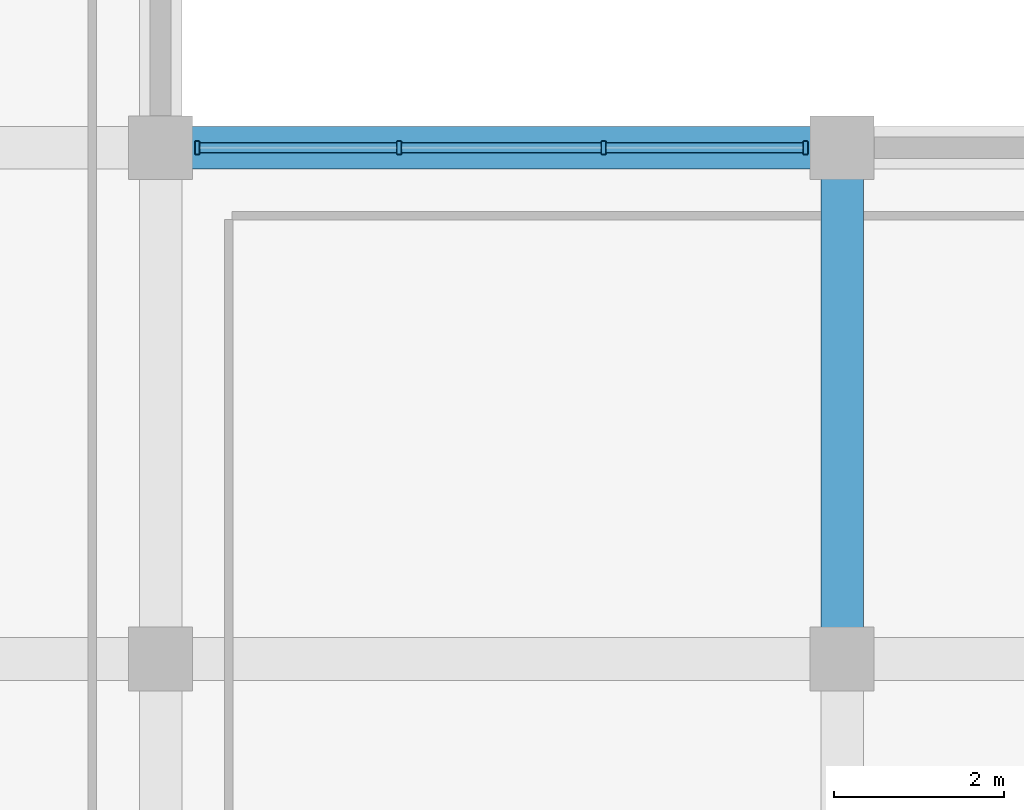
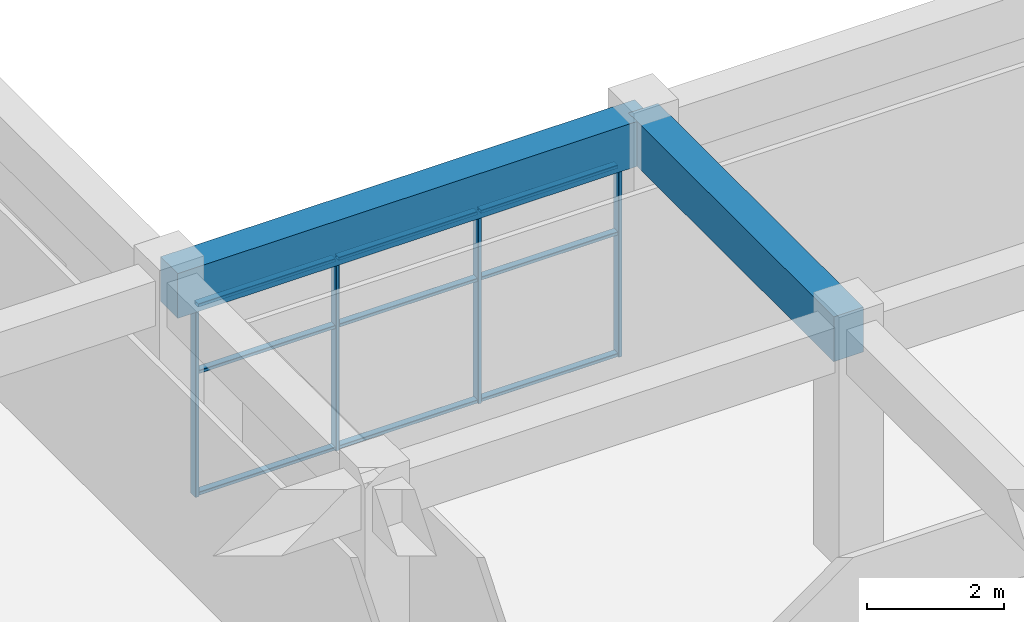
# One storey, part 10 of 53: 13 members, 2 beams, 1 element without a shape of its own.
"""IFC4 building model written with IfcOpenShell, lengths in metres."""

import ifcopenshell
import ifcopenshell.guid

model = None  # the IFC model being written
_history = None  # IfcOwnerHistory: only IFC2X3 demands one
_inside = {}  # id of a spatial element -> (the spatial element, [elements in it])
_under = {}  # id of a project, library or spatial element -> (it, [spatial elements below it])
_declared = {}  # id of a project -> (the project, [libraries it declares])
_typed = {}  # id of a type object -> (the type object, [elements of that type])
_made_of = {}  # id of a material, layer set ... -> (it, [elements and type objects made of it])


def new_model(schema):
    """Start an empty IFC model of exactly this schema.

    Asked for "IFC4X3", IfcOpenShell would pick the latest addendum, in which some entities
    have other attributes; the version numbers below select the first issue.
    IFC2X3 requires an IfcOwnerHistory on every rooted entity: one is made here for all.
    """
    global model, _history
    if schema == "IFC4X3":
        model = ifcopenshell.file(schema_version=(4, 3, 0, 0))
    else:
        model = ifcopenshell.file(schema=schema)
    _inside.clear()
    _under.clear()
    _declared.clear()
    _typed.clear()
    _made_of.clear()
    _history = None
    if model.schema == "IFC2X3":
        org = make("IfcOrganization", Name="unknown")
        user = make(
            "IfcPersonAndOrganization",
            ThePerson=make("IfcPerson", FamilyName="unknown"),
            TheOrganization=org,
        )
        app = make(
            "IfcApplication",
            ApplicationDeveloper=org,
            Version="unknown",
            ApplicationFullName="unknown",
            ApplicationIdentifier="unknown",
        )
        _history = make(
            "IfcOwnerHistory",
            OwningUser=user,
            OwningApplication=app,
            ChangeAction="ADDED",
            CreationDate=0,
        )
    return model


def make(cls, **values):
    """One entity of the class cls with the attributes given. An attribute that is None is left unset."""
    return model.create_entity(
        cls, **{name: value for name, value in values.items() if value is not None}
    )


def rooted(cls, **values):
    """An entity with a GlobalId (a new one), such as an element, a storey or a relation."""
    return make(cls, GlobalId=ifcopenshell.guid.new(), OwnerHistory=_history, **values)


def si_unit(unit_type, name, prefix=None):
    """IfcSIUnit, for example si_unit("LENGTHUNIT", "METRE", prefix="MILLI")."""
    return make("IfcSIUnit", UnitType=unit_type, Prefix=prefix, Name=name)


def assignment(units):
    """IfcUnitAssignment: the units of a project."""
    return None if units is None else make("IfcUnitAssignment", Units=units)


def point(xyz):
    """IfcCartesianPoint."""
    return None if xyz is None else make("IfcCartesianPoint", Coordinates=xyz)


def direction(xyz):
    """IfcDirection."""
    return None if xyz is None else make("IfcDirection", DirectionRatios=xyz)


def frame(location, z_axis=None, x_axis=None):
    """IfcAxis2Placement3D, a coordinate frame: its origin and axes. An axis left out is left unset."""
    return make(
        "IfcAxis2Placement3D",
        Location=point(location),
        Axis=direction(z_axis),
        RefDirection=direction(x_axis),
    )


def frame_2d(location, x_axis=None):
    """IfcAxis2Placement2D, a coordinate frame in the plane: its origin and x axis."""
    return make(
        "IfcAxis2Placement2D", Location=point(location), RefDirection=direction(x_axis)
    )


def origin():
    """The frame at (0, 0, 0) with its axes left unset."""
    return frame((0.0, 0.0, 0.0))


def origin_2d():
    """The frame at (0, 0) in the plane with its x axis left unset."""
    return frame_2d((0.0, 0.0))


def place(relative_to, where):
    """IfcLocalPlacement: puts the frame where relative to a parent placement (None: the world)."""
    return make(
        "IfcLocalPlacement", PlacementRelTo=relative_to, RelativePlacement=where
    )


def context(
    kind, dimensions, precision=None, world=None, true_north=None, identifier=None
):
    """IfcGeometricRepresentationContext, for example the 3D "Model" context."""
    return make(
        "IfcGeometricRepresentationContext",
        ContextIdentifier=identifier,
        ContextType=kind,
        CoordinateSpaceDimension=dimensions,
        Precision=precision,
        WorldCoordinateSystem=world,
        TrueNorth=true_north,
    )


def subcontext(parent, identifier, kind, view, scale=None):
    """IfcGeometricRepresentationSubContext, for example "Body" below "Model"."""
    return make(
        "IfcGeometricRepresentationSubContext",
        ContextIdentifier=identifier,
        ContextType=kind,
        ParentContext=parent,
        TargetScale=scale,
        TargetView=view,
    )


def project(units=None, contexts=None):
    """IfcProject with its units and contexts."""
    return rooted(
        "IfcProject",
        Name="project",
        RepresentationContexts=contexts,
        UnitsInContext=assignment(units),
    )


def spatial(cls, under=None, at=None, **own):
    """A site, building, storey or space (cls), placed at a placement, below another one or the project."""
    s = rooted(cls, ObjectPlacement=at, **own)
    if under is not None:
        _under.setdefault(under.id(), (under, []))[1].append(s)
    return s


def profile(cls, at=None, kind="AREA", **sizes):
    """A parametric profile (cls). Its sizes go by their IFC names, for example OverallWidth=200.0."""
    return make(cls, ProfileType=kind, Position=at, **sizes)


def rectangle(**sizes):
    """IfcRectangleProfileDef."""
    return profile("IfcRectangleProfileDef", **sizes)


def hollow_rectangle(**sizes):
    """IfcRectangleHollowProfileDef."""
    return profile("IfcRectangleHollowProfileDef", **sizes)


def extrude(swept, where, along, depth):
    """IfcExtrudedAreaSolid: the profile swept, set in the frame where, extruded along a direction by depth."""
    return make(
        "IfcExtrudedAreaSolid",
        SweptArea=swept,
        Position=where,
        ExtrudedDirection=direction(along),
        Depth=depth,
    )


def shape(context_of_items, identifier, shape_type, items):
    """IfcShapeRepresentation: the items that make up one representation, for example the "Body"."""
    return make(
        "IfcShapeRepresentation",
        ContextOfItems=context_of_items,
        RepresentationIdentifier=identifier,
        RepresentationType=shape_type,
        Items=items,
    )


def material(Name=None, Category=None):
    """IfcMaterial."""
    return make("IfcMaterial", Name=Name, Category=Category)


def layer(
    of_material, thickness, ventilated=None, Name=None, Category=None, Priority=None
):
    """IfcMaterialLayer: one layer of a wall or slab, of a material (None: an air gap)."""
    return make(
        "IfcMaterialLayer",
        Material=of_material,
        LayerThickness=thickness,
        IsVentilated=ventilated,
        Name=Name,
        Category=Category,
        Priority=Priority,
    )


def layer_set(layers, Name=None):
    """IfcMaterialLayerSet."""
    return make("IfcMaterialLayerSet", MaterialLayers=layers, LayerSetName=Name)


def material_profile(
    of_material, cross_section, Name=None, Category=None, Priority=None
):
    """IfcMaterialProfile: a cross section and its material."""
    return make(
        "IfcMaterialProfile",
        Name=Name,
        Material=of_material,
        Profile=cross_section,
        Priority=Priority,
        Category=Category,
    )


def profile_set(profiles, Name=None, composite=None):
    """IfcMaterialProfileSet."""
    return make(
        "IfcMaterialProfileSet",
        Name=Name,
        MaterialProfiles=profiles,
        CompositeProfile=composite,
    )


def made_of(thing, what):
    """Note that an element or type object is made of a material, layer set ...; save() writes the relation."""
    if what is not None:
        _made_of.setdefault(what.id(), (what, []))[1].append(thing)
    return thing


def type_object(cls, material=None, **own):
    """A type object (cls), such as IfcWallType, which elements share."""
    return made_of(rooted(cls, **own), material)


def element(
    cls,
    number,
    at=None,
    inside=None,
    cuts=None,
    type_object=None,
    material=None,
    context=None,
    identifier="Body",
    shape_type=None,
    held_by="IfcProductDefinitionShape",
    body=None,
    shapes=None,
    **own,
):
    """One element of the class cls, such as IfcWall. Its Tag is "e" and its number.

    at: its placement. inside: the storey or other place that contains it. cuts: it is an
    opening in that element (IfcRelVoidsElement). A single representation is given by context,
    identifier, shape_type and body (its items); several are given by shapes. held_by: the class
    of the entity that holds the representations. save() writes the other relations.
    """
    e = rooted(cls, Tag="e%d" % number, ObjectPlacement=at, **own)
    if body is not None:
        shapes = [shape(context, identifier, shape_type, body)]
    if shapes is not None:
        e.Representation = make(held_by, Representations=shapes)
    if inside is not None:
        _inside.setdefault(inside.id(), (inside, []))[1].append(e)
    if cuts is not None:
        rooted(
            "IfcRelVoidsElement", RelatingBuildingElement=cuts, RelatedOpeningElement=e
        )
    if type_object is not None:
        _typed.setdefault(type_object.id(), (type_object, []))[1].append(e)
    return made_of(e, material)


def aggregate(whole, parts):
    """IfcRelAggregates: a whole, such as a stair, and the parts it consists of."""
    return rooted("IfcRelAggregates", RelatingObject=whole, RelatedObjects=parts)


def save(model, path):
    """Write the relations noted so far, then the file.

    IfcRelAggregates (storeys below a building ...), IfcRelContainedInSpatialStructure (elements
    in a storey), IfcRelDefinesByType, IfcRelAssociatesMaterial and IfcRelDeclares: one each for
    every whole, place, type object, material and project.
    """
    for whole, parts in _under.values():
        aggregate(whole, parts)
    for where, things in _inside.values():
        rooted(
            "IfcRelContainedInSpatialStructure",
            RelatedElements=things,
            RelatingStructure=where,
        )
    for kind, things in _typed.values():
        rooted("IfcRelDefinesByType", RelatedObjects=things, RelatingType=kind)
    for what, things in _made_of.values():
        rooted("IfcRelAssociatesMaterial", RelatedObjects=things, RelatingMaterial=what)
    for by, libraries in _declared.values():
        rooted("IfcRelDeclares", RelatingContext=by, RelatedDefinitions=libraries)
    model.write(path)


model = new_model("IFC4")

# Units and contexts
model_context = context("Model", 3, precision=1e-05, world=origin(), true_north=direction((0.0, 1.0)))
body_context = subcontext(model_context, "Body", "Model", "MODEL_VIEW")
ifc_project = project(units=[si_unit("LENGTHUNIT", "METRE"), si_unit("AREAUNIT", "SQUARE_METRE"), si_unit("VOLUMEUNIT", "CUBIC_METRE"), si_unit("PLANEANGLEUNIT", "RADIAN"), si_unit("MASSUNIT", "GRAM", prefix="KILO")], contexts=[model_context])

# Site, building, storey
site_placement = place(None, origin())
site = spatial("IfcSite", under=ifc_project, at=site_placement, CompositionType="ELEMENT")
building_placement = place(site_placement, origin())
building = spatial("IfcBuilding", under=site, at=building_placement, Name="Kelanora Arch Commons", CompositionType="ELEMENT")
storey_placement = place(building_placement, frame((0.0, 0.0, 9.0)))
storey = spatial("IfcBuildingStorey", under=building, at=storey_placement, Name="L02", CompositionType="ELEMENT", Elevation=9.0)

# Beams
ifc_material_1 = material(Name="Concrete C40/50", Category="concrete")
ifc_material_profile_1 = material_profile(ifc_material_1, rectangle(XDim=0.5, YDim=0.800048828125, at=origin_2d()), Name="RCB500x800")
ifc_profile_set_1 = profile_set([ifc_material_profile_1], Name="Concrete C40/50")
beam_type = type_object("IfcBeamType", Name="BM-MKT-RC1", PredefinedType="BEAM", material=ifc_profile_set_1)
beam_1_placement = place(storey_placement, frame((36.0, 26.0, 3.840087890625), z_axis=(1.0, 0.0, 0.0), x_axis=(0.0, 1.0, 0.0)))
element("IfcBeam", 1, at=beam_1_placement, inside=storey, type_object=beam_type, Name="Market/Basement Frame Beam 086 L02", PredefinedType="BEAM", context=body_context, shape_type="SweptSolid", body=[
    extrude(rectangle(XDim=0.5, YDim=0.800048828125, at=origin_2d()), origin(), (0.0, 0.0, 1.0), 8.0),
])
beam_2_placement = place(storey_placement, frame((44.0, 20.0, 3.840087890625), z_axis=(0.0, 1.0, 0.0), x_axis=(-1.0, 0.0, 0.0)))
element("IfcBeam", 2, at=beam_2_placement, inside=storey, type_object=beam_type, Name="Market/Basement Frame Beam 099 L02", PredefinedType="BEAM", context=body_context, shape_type="SweptSolid", body=[
    extrude(rectangle(XDim=0.5, YDim=0.800048828125, at=origin_2d()), origin(), (0.0, 0.0, 1.0), 6.0),
])

# Curtain wall, members
ifc_material_2 = material(Name="Terracotta ceramic-fritted low-E glass and aluminium", Category="masonry")
ifc_layer = layer(ifc_material_2, 0.16796875)
ifc_layer_set = layer_set([ifc_layer], Name="Terracotta ceramic-fritted low-E glass and aluminium")
curtain_wall_type = type_object("IfcCurtainWallType", Name="CW-SYS-07", PredefinedType="NOTDEFINED", material=ifc_layer_set)
curtain_wall_placement = place(storey_placement, origin())
curtain_wall = element("IfcCurtainWall", 3, at=curtain_wall_placement, inside=storey, type_object=curtain_wall_type, Name="Market Hall Arcade Curtain Wall L02-22", PredefinedType="NOTDEFINED")
ifc_material_3 = material(Name="Powder-coated aluminium terracotta", Category="masonry")
ifc_material_profile_2 = material_profile(ifc_material_3, hollow_rectangle(XDim=0.159912109375, YDim=0.06005859375, WallThickness=0.0048828125, InnerFilletRadius=0.0048828125, OuterFilletRadius=0.010009765625, at=origin_2d()), Name="CWM160x60")
ifc_profile_set_2 = profile_set([ifc_material_profile_2], Name="Powder-coated aluminium terracotta")
member_type_1 = type_object("IfcMemberType", Name="CWM-STD", PredefinedType="MULLION", material=ifc_profile_set_2)
member_1_placement = place(storey_placement, frame((43.570068359375, 26.0, 0.0), z_axis=(0.0, 0.0, 1.0), x_axis=(0.0, -1.0, 0.0)))
member_1 = element("IfcMember", 4, at=member_1_placement, type_object=member_type_1, Name="CW-07 mullion 1", PredefinedType="MULLION", context=body_context, shape_type="SweptSolid", body=[
    extrude(hollow_rectangle(XDim=0.159912109375, YDim=0.06005859375, WallThickness=0.0048828125, InnerFilletRadius=0.0048828125, OuterFilletRadius=0.010009765625, at=origin_2d()), origin(), (0.0, 0.0, 1.0), 3.419921875),
])
member_2_placement = place(storey_placement, frame((41.199951171875, 26.0, 0.0), z_axis=(0.0, 0.0, 1.0), x_axis=(0.0, -1.0, 0.0)))
member_2 = element("IfcMember", 5, at=member_2_placement, type_object=member_type_1, Name="CW-07 mullion 2", PredefinedType="MULLION", context=body_context, shape_type="SweptSolid", body=[
    extrude(hollow_rectangle(XDim=0.159912109375, YDim=0.06005859375, WallThickness=0.0048828125, InnerFilletRadius=0.0048828125, OuterFilletRadius=0.010009765625, at=origin_2d()), origin(), (0.0, 0.0, 1.0), 3.419921875),
])
member_3_placement = place(storey_placement, frame((38.800048828125, 26.0, 0.0), z_axis=(0.0, 0.0, 1.0), x_axis=(0.0, -1.0, 0.0)))
member_3 = element("IfcMember", 6, at=member_3_placement, type_object=member_type_1, Name="CW-07 mullion 3", PredefinedType="MULLION", context=body_context, shape_type="SweptSolid", body=[
    extrude(hollow_rectangle(XDim=0.159912109375, YDim=0.06005859375, WallThickness=0.0048828125, InnerFilletRadius=0.0048828125, OuterFilletRadius=0.010009765625, at=origin_2d()), origin(), (0.0, 0.0, 1.0), 3.419921875),
])
member_4_placement = place(storey_placement, frame((36.429931640625, 26.0, 0.0), z_axis=(0.0, 0.0, 1.0), x_axis=(0.0, -1.0, 0.0)))
member_4 = element("IfcMember", 7, at=member_4_placement, type_object=member_type_1, Name="CW-07 mullion 4", PredefinedType="MULLION", context=body_context, shape_type="SweptSolid", body=[
    extrude(hollow_rectangle(XDim=0.159912109375, YDim=0.06005859375, WallThickness=0.0048828125, InnerFilletRadius=0.0048828125, OuterFilletRadius=0.010009765625, at=origin_2d()), origin(), (0.0, 0.0, 1.0), 3.419921875),
])
ifc_material_profile_3 = material_profile(ifc_material_3, hollow_rectangle(XDim=0.1201171875, YDim=0.06005859375, WallThickness=0.0048828125, InnerFilletRadius=0.0048828125, OuterFilletRadius=0.010009765625, at=origin_2d()), Name="CWT120x60")
ifc_profile_set_3 = profile_set([ifc_material_profile_3], Name="Powder-coated aluminium terracotta")
member_type_2 = type_object("IfcMemberType", Name="CWT-STD", PredefinedType="USERDEFINED", material=ifc_profile_set_3)
member_5_placement = place(storey_placement, frame((43.5400390625, 26.0, 0.030029296875), z_axis=(-1.0, 0.0, 0.0), x_axis=(0.0, -1.0, 0.0)))
member_5 = element("IfcMember", 8, at=member_5_placement, type_object=member_type_2, Name="CW-07 transom 1.1", ObjectType="TRANSOM", PredefinedType="USERDEFINED", context=body_context, shape_type="SweptSolid", body=[
    extrude(hollow_rectangle(XDim=0.1201171875, YDim=0.06005859375, WallThickness=0.0048828125, InnerFilletRadius=0.0048828125, OuterFilletRadius=0.010009765625, at=origin_2d()), origin(), (0.0, 0.0, 1.0), 2.31005859375),
])
member_6_placement = place(storey_placement, frame((43.5400390625, 26.0, 2.199951171875), z_axis=(-1.0, 0.0, 0.0), x_axis=(0.0, -1.0, 0.0)))
member_6 = element("IfcMember", 9, at=member_6_placement, type_object=member_type_2, Name="CW-07 transom 1.2", ObjectType="TRANSOM", PredefinedType="USERDEFINED", context=body_context, shape_type="SweptSolid", body=[
    extrude(hollow_rectangle(XDim=0.1201171875, YDim=0.06005859375, WallThickness=0.0048828125, InnerFilletRadius=0.0048828125, OuterFilletRadius=0.010009765625, at=origin_2d()), origin(), (0.0, 0.0, 1.0), 2.31005859375),
])
member_7_placement = place(storey_placement, frame((43.5400390625, 26.0, 3.389892578125), z_axis=(-1.0, 0.0, 0.0), x_axis=(0.0, -1.0, 0.0)))
member_7 = element("IfcMember", 10, at=member_7_placement, type_object=member_type_2, Name="CW-07 transom 1.3", ObjectType="TRANSOM", PredefinedType="USERDEFINED", context=body_context, shape_type="SweptSolid", body=[
    extrude(hollow_rectangle(XDim=0.1201171875, YDim=0.06005859375, WallThickness=0.0048828125, InnerFilletRadius=0.0048828125, OuterFilletRadius=0.010009765625, at=origin_2d()), origin(), (0.0, 0.0, 1.0), 2.31005859375),
])
member_8_placement = place(storey_placement, frame((41.169921875, 26.0, 0.030029296875), z_axis=(-1.0, 0.0, 0.0), x_axis=(0.0, -1.0, 0.0)))
member_8 = element("IfcMember", 11, at=member_8_placement, type_object=member_type_2, Name="CW-07 transom 2.1", ObjectType="TRANSOM", PredefinedType="USERDEFINED", context=body_context, shape_type="SweptSolid", body=[
    extrude(hollow_rectangle(XDim=0.1201171875, YDim=0.06005859375, WallThickness=0.0048828125, InnerFilletRadius=0.0048828125, OuterFilletRadius=0.010009765625, at=origin_2d()), origin(), (0.0, 0.0, 1.0), 2.33984375),
])
member_9_placement = place(storey_placement, frame((41.169921875, 26.0, 2.199951171875), z_axis=(-1.0, 0.0, 0.0), x_axis=(0.0, -1.0, 0.0)))
member_9 = element("IfcMember", 12, at=member_9_placement, type_object=member_type_2, Name="CW-07 transom 2.2", ObjectType="TRANSOM", PredefinedType="USERDEFINED", context=body_context, shape_type="SweptSolid", body=[
    extrude(hollow_rectangle(XDim=0.1201171875, YDim=0.06005859375, WallThickness=0.0048828125, InnerFilletRadius=0.0048828125, OuterFilletRadius=0.010009765625, at=origin_2d()), origin(), (0.0, 0.0, 1.0), 2.33984375),
])
member_10_placement = place(storey_placement, frame((41.169921875, 26.0, 3.389892578125), z_axis=(-1.0, 0.0, 0.0), x_axis=(0.0, -1.0, 0.0)))
member_10 = element("IfcMember", 13, at=member_10_placement, type_object=member_type_2, Name="CW-07 transom 2.3", ObjectType="TRANSOM", PredefinedType="USERDEFINED", context=body_context, shape_type="SweptSolid", body=[
    extrude(hollow_rectangle(XDim=0.1201171875, YDim=0.06005859375, WallThickness=0.0048828125, InnerFilletRadius=0.0048828125, OuterFilletRadius=0.010009765625, at=origin_2d()), origin(), (0.0, 0.0, 1.0), 2.33984375),
])
member_11_placement = place(storey_placement, frame((38.77001953125, 26.0, 0.030029296875), z_axis=(-1.0, 0.0, 0.0), x_axis=(0.0, -1.0, 0.0)))
member_11 = element("IfcMember", 14, at=member_11_placement, type_object=member_type_2, Name="CW-07 transom 3.1", ObjectType="TRANSOM", PredefinedType="USERDEFINED", context=body_context, shape_type="SweptSolid", body=[
    extrude(hollow_rectangle(XDim=0.1201171875, YDim=0.06005859375, WallThickness=0.0048828125, InnerFilletRadius=0.0048828125, OuterFilletRadius=0.010009765625, at=origin_2d()), origin(), (0.0, 0.0, 1.0), 2.31005859375),
])
member_12_placement = place(storey_placement, frame((38.77001953125, 26.0, 2.199951171875), z_axis=(-1.0, 0.0, 0.0), x_axis=(0.0, -1.0, 0.0)))
member_12 = element("IfcMember", 15, at=member_12_placement, type_object=member_type_2, Name="CW-07 transom 3.2", ObjectType="TRANSOM", PredefinedType="USERDEFINED", context=body_context, shape_type="SweptSolid", body=[
    extrude(hollow_rectangle(XDim=0.1201171875, YDim=0.06005859375, WallThickness=0.0048828125, InnerFilletRadius=0.0048828125, OuterFilletRadius=0.010009765625, at=origin_2d()), origin(), (0.0, 0.0, 1.0), 2.31005859375),
])
member_13_placement = place(storey_placement, frame((38.77001953125, 26.0, 3.389892578125), z_axis=(-1.0, 0.0, 0.0), x_axis=(0.0, -1.0, 0.0)))
member_13 = element("IfcMember", 16, at=member_13_placement, type_object=member_type_2, Name="CW-07 transom 3.3", ObjectType="TRANSOM", PredefinedType="USERDEFINED", context=body_context, shape_type="SweptSolid", body=[
    extrude(hollow_rectangle(XDim=0.1201171875, YDim=0.06005859375, WallThickness=0.0048828125, InnerFilletRadius=0.0048828125, OuterFilletRadius=0.010009765625, at=origin_2d()), origin(), (0.0, 0.0, 1.0), 2.31005859375),
])
aggregate(curtain_wall, [member_1, member_2, member_3, member_4, member_5, member_6, member_7, member_8, member_9, member_10, member_11, member_12, member_13])

save(model, "model.ifc")
